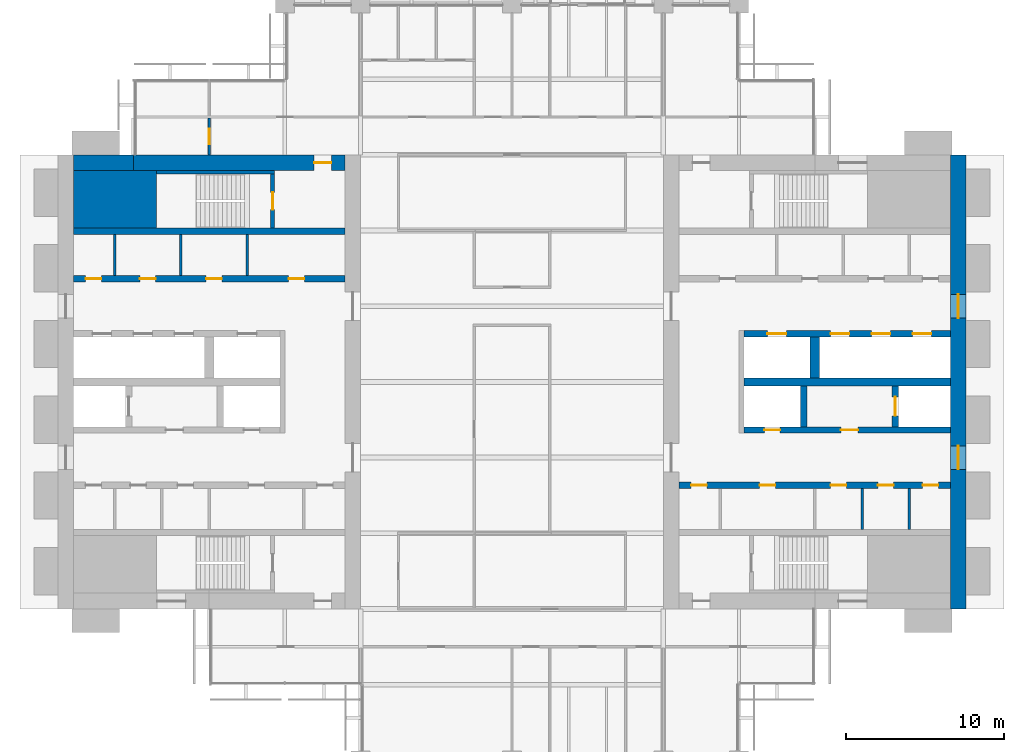
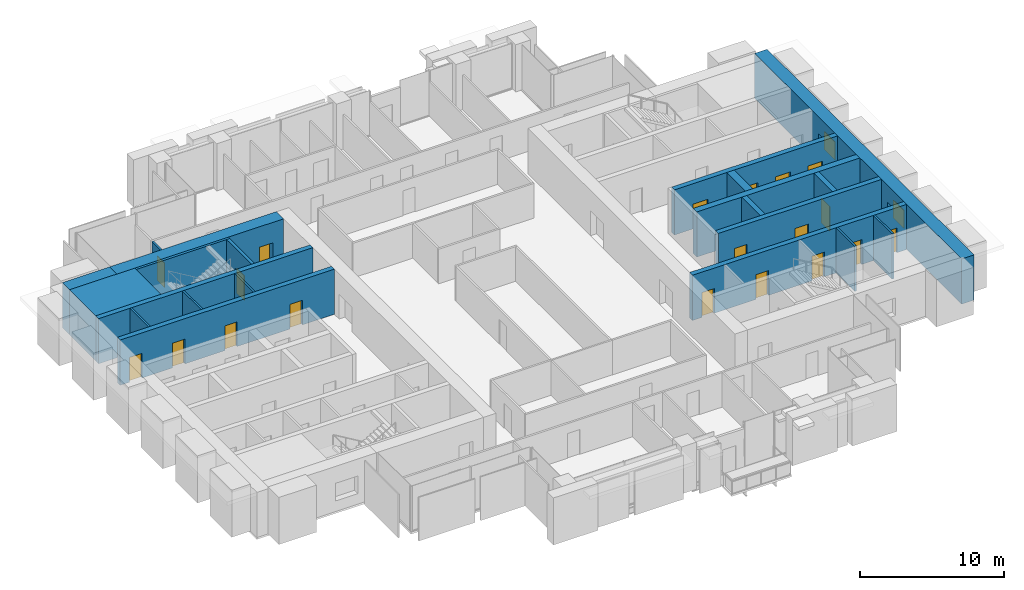
# One storey, part 11 of 15: 21 walls, 19 doors, 2 windows, 21 openings.
"""IFC4 building model written with IfcOpenShell, lengths in metres."""

from ifc_helpers import new_model, si_unit, direction, frame, frame_2d, origin, place, context, subcontext, project, spatial, rectangle, extrude, material, layer, layer_set, type_object, element, fill, save


model = new_model("IFC4")

# Units and contexts
model_context = context("Model", 3, precision=1e-05, world=origin(), true_north=direction((0.0, 1.0)))
body_context = subcontext(model_context, "Body", "Model", "MODEL_VIEW")
ifc_project = project(units=[si_unit("LENGTHUNIT", "METRE"), si_unit("AREAUNIT", "SQUARE_METRE"), si_unit("VOLUMEUNIT", "CUBIC_METRE"), si_unit("PLANEANGLEUNIT", "RADIAN"), si_unit("MASSUNIT", "GRAM", prefix="KILO")], contexts=[model_context])

# Site, building, storey
site_placement = place(None, origin())
site = spatial("IfcSite", under=ifc_project, at=site_placement, CompositionType="ELEMENT")
building_placement = place(site_placement, origin())
building = spatial("IfcBuilding", under=site, at=building_placement, Name="Baori Bourse Tower", CompositionType="ELEMENT")
storey_placement = place(building_placement, frame((0.0, 0.0, 164.10009765625)))
storey = spatial("IfcBuildingStorey", under=building, at=storey_placement, Name="L36", CompositionType="ELEMENT", Elevation=164.10009765625)

# Walls
ifc_material_1 = material(Name="Concrete f'c 60 MPa", Category="concrete")
wall_type_1 = type_object("IfcWallType", Name="Core corner block f'c 60", PredefinedType="SHEAR", material=ifc_material_1)
wall_1_placement = place(storey_placement, frame((1.0, 35.574951171875, 0.0), z_axis=(0.0, 0.0, 1.0), x_axis=(1.0, 0.0, 0.0)))
element("IfcWall", 1, at=wall_1_placement, inside=storey, type_object=wall_type_1, Name="Core wall W27", PredefinedType="SHEAR", context=body_context, shape_type="SweptSolid", body=[
    extrude(rectangle(XDim=5.25, YDim=3.64990234375, at=frame_2d((2.625, 0.0))), origin(), (0.0, 0.0, 1.0), 3.83984375),
])
ifc_material_2 = material(Name="Blockwork partition", Category="masonry")
ifc_layer_1 = layer(ifc_material_2, 0.14990234375)
ifc_layer_set_1 = layer_set([ifc_layer_1], Name="Core partition 150")
wall_type_2 = type_object("IfcWallType", Name="Core partition 150", PredefinedType="PARTITIONING", material=ifc_layer_set_1)
for number, where, z_axis, x_axis, name in (
    (2, (3.60009765625, 30.75, 0.0), (0.0, 0.0, 1.0), (0.0, 1.0, 0.0), "Partition wall W23"),
    (3, (7.800048828125, 30.75, 0.0), (0.0, 0.0, 1.0), (0.0, 1.0, 0.0), "Partition wall W24"),
    (4, (12.0, 30.75, 0.0), (0.0, 0.0, 1.0), (0.0, 1.0, 0.0), "Partition wall W25"),
    (5, (54.0, 14.64990234375, 0.0), (0.0, 0.0, 1.0), (0.0, 1.0, 0.0), "Partition wall E10"),
    (6, (51.0, 14.64990234375, 0.0), (0.0, 0.0, 1.0), (0.0, 1.0, 0.0), "Partition wall E11"),
):
    element("IfcWall", number, at=place(storey_placement, frame(where, z_axis=z_axis, x_axis=x_axis)), inside=storey, type_object=wall_type_2, Name=name, PredefinedType="PARTITIONING", context=body_context, shape_type="SweptSolid", body=[
        extrude(rectangle(XDim=2.60009765625, YDim=0.14990234375, at=frame_2d((1.300048828125, 0.0))), origin(), (0.0, 0.0, 1.0), 3.83984375),
    ])
ifc_material_3 = material(Name="Concrete f'c 60 MPa", Category="concrete")
ifc_layer_2 = layer(ifc_material_3, 1.0)
ifc_layer_set_2 = layer_set([ifc_layer_2], Name="Core wall 1000 f'c 60")
wall_type_3 = type_object("IfcWallType", Name="Core wall 1000 f'c 60", PredefinedType="SHEAR", material=ifc_layer_set_2)
wall_2_placement = place(storey_placement, frame((1.0, 37.89990234375, 0.0), z_axis=(0.0, 0.0, 1.0), x_axis=(1.0, 0.0, 0.0)))
element("IfcWall", 7, at=wall_2_placement, inside=storey, type_object=wall_type_3, Name="Core wall W30", PredefinedType="SHEAR", context=body_context, shape_type="SweptSolid", body=[
    extrude(rectangle(XDim=3.800048828125, YDim=1.0, at=frame_2d((1.89990234375, 0.0))), origin(), (0.0, 0.0, 1.0), 3.83984375),
])

# Wall, opening, door
wall_3_placement = place(storey_placement, frame((4.800048828125, 37.89990234375, 0.0), z_axis=(0.0, 0.0, 1.0), x_axis=(1.0, 0.0, 0.0)))
wall_3 = element("IfcWall", 8, at=wall_3_placement, inside=storey, type_object=wall_type_3, Name="Core wall W31", PredefinedType="SHEAR", context=body_context, shape_type="SweptSolid", body=[
    extrude(rectangle(XDim=13.39990234375, YDim=1.0, at=frame_2d((6.699951171875, 0.0))), origin(), (0.0, 0.0, 1.0), 3.83984375),
])
opening_1_placement = place(wall_3_placement, frame((11.449951171875, 0.0, 0.0)))
opening_1 = element("IfcOpeningElement", 9, at=opening_1_placement, cuts=wall_3, Name="Opening L36-D104", PredefinedType="OPENING", context=body_context, shape_type="SweptSolid", body=[
    extrude(rectangle(XDim=1.10009765625, YDim=2.10009765625, at=frame_2d((0.550048828125, 1.050048828125))), frame((0.0, 0.510009765625, 0.0), z_axis=(0.0, -1.0, 0.0), x_axis=(1.0, 0.0, 0.0)), (0.0, 0.0, 1.0), 1.02001953125),
])
ifc_material_4 = material(Name="Painted steel door", Category="steel")
door_type_1 = type_object("IfcDoorType", Name="Stair door 1100", OperationType="SINGLE_SWING_LEFT", PredefinedType="DOOR", material=ifc_material_4)
door_1_placement = place(opening_1_placement, origin())
door_1 = element("IfcDoor", 10, at=door_1_placement, inside=storey, type_object=door_type_1, Name="Stair vestibule door B W L36", OperationType="SINGLE_SWING_LEFT", OverallHeight=2.10009765625, OverallWidth=1.10009765625, PredefinedType="DOOR", context=body_context, shape_type="SweptSolid", body=[
    extrude(rectangle(XDim=1.10009765625, YDim=2.10009765625, at=frame_2d((0.550048828125, 1.050048828125))), frame((0.0, 0.02490234375, 0.0), z_axis=(0.0, -1.0, 0.0), x_axis=(1.0, 0.0, 0.0)), (0.0, 0.0, 1.0), 0.050048828125),
])
fill(opening_1, door_1)

# Wall, openings, windows
wall_4_placement = place(storey_placement, frame((57.10009765625, 38.39990234375, 0.0), z_axis=(0.0, 0.0, 1.0), x_axis=(0.0, -1.0, 0.0)))
wall_4 = element("IfcWall", 11, at=wall_4_placement, inside=storey, type_object=wall_type_3, Name="Core wall E01", PredefinedType="SHEAR", context=body_context, shape_type="SweptSolid", body=[
    extrude(rectangle(XDim=28.7998046875, YDim=1.0, at=frame_2d((14.39990234375, 0.0))), origin(), (0.0, 0.0, 1.0), 3.83984375),
])
opening_2_placement = place(wall_4_placement, frame((18.449951171875, 0.0, 0.89990234375)))
opening_2 = element("IfcOpeningElement", 12, at=opening_2_placement, cuts=wall_4, Name="Opening L36-KW201", PredefinedType="OPENING", context=body_context, shape_type="SweptSolid", body=[
    extrude(rectangle(XDim=1.5, YDim=1.5, at=frame_2d((0.75, 0.75))), frame((0.0, 0.510009765625, 0.0), z_axis=(0.0, -1.0, 0.0), x_axis=(1.0, 0.0, 0.0)), (0.0, 0.0, 1.0), 1.02001953125),
])
opening_3_placement = place(wall_4_placement, frame((8.85009765625, 0.0, 0.89990234375)))
opening_3 = element("IfcOpeningElement", 13, at=opening_3_placement, cuts=wall_4, Name="Opening L36-KW202", PredefinedType="OPENING", context=body_context, shape_type="SweptSolid", body=[
    extrude(rectangle(XDim=1.5, YDim=1.5, at=frame_2d((0.75, 0.75))), frame((0.0, 0.510009765625, 0.0), z_axis=(0.0, -1.0, 0.0), x_axis=(1.0, 0.0, 0.0)), (0.0, 0.0, 1.0), 1.02001953125),
])
ifc_material_5 = material(Name="Pale anodised aluminium", Category="aluminium")
window_type = type_object("IfcWindowType", Name="Lobby window 1500 x 1500", PartitioningType="SINGLE_PANEL", PredefinedType="WINDOW", material=ifc_material_5)
window_1_placement = place(opening_2_placement, origin())
window_1 = element("IfcWindow", 14, at=window_1_placement, inside=storey, type_object=window_type, Name="Outer wall window E L36 1", OverallHeight=1.5, OverallWidth=1.5, PartitioningType="SINGLE_PANEL", PredefinedType="WINDOW", context=body_context, shape_type="SweptSolid", body=[
    extrude(rectangle(XDim=1.5, YDim=1.5, at=frame_2d((0.75, 0.75))), frame((0.0, 0.030029296875, 0.0), z_axis=(0.0, -1.0, 0.0), x_axis=(1.0, 0.0, 0.0)), (0.0, 0.0, 1.0), 0.06005859375),
])
fill(opening_2, window_1)
window_2_placement = place(opening_3_placement, origin())
window_2 = element("IfcWindow", 15, at=window_2_placement, inside=storey, type_object=window_type, Name="Outer wall window E L36 2", OverallHeight=1.5, OverallWidth=1.5, PartitioningType="SINGLE_PANEL", PredefinedType="WINDOW", context=body_context, shape_type="SweptSolid", body=[
    extrude(rectangle(XDim=1.5, YDim=1.5, at=frame_2d((0.75, 0.75))), frame((0.0, 0.030029296875, 0.0), z_axis=(0.0, -1.0, 0.0), x_axis=(1.0, 0.0, 0.0)), (0.0, 0.0, 1.0), 0.06005859375),
])
fill(opening_3, window_2)

# Wall, opening, door
ifc_material_6 = material(Name="Gypsum board partition")
ifc_layer_3 = layer(ifc_material_6, 0.14990234375)
ifc_layer_set_3 = layer_set([ifc_layer_3], Name="Corridor partition 150")
wall_type_4 = type_object("IfcWallType", Name="Corridor partition 150", PredefinedType="PARTITIONING", material=ifc_layer_set_3)
wall_5_placement = place(storey_placement, frame((9.60009765625, 38.39990234375, 0.0), z_axis=(0.0, 0.0, 1.0), x_axis=(0.0, 1.0, 0.0)))
wall_5 = element("IfcWall", 16, at=wall_5_placement, inside=storey, type_object=wall_type_4, Name="Partition", PredefinedType="PARTITIONING", context=body_context, shape_type="SweptSolid", body=[
    extrude(rectangle(XDim=2.3251953125, YDim=0.14990234375, at=frame_2d((1.16259765625, 0.0))), origin(), (0.0, 0.0, 1.0), 2.935546875),
])
opening_4_placement = place(wall_5_placement, frame((0.66259765625, 0.0, 0.0)))
opening_4 = element("IfcOpeningElement", 17, at=opening_4_placement, cuts=wall_5, Name="Opening L36-D20", PredefinedType="OPENING", context=body_context, shape_type="SweptSolid", body=[
    extrude(rectangle(XDim=1.0, YDim=2.10009765625, at=frame_2d((0.5, 1.050048828125))), frame((0.0, 0.0849609375, 0.0), z_axis=(0.0, -1.0, 0.0), x_axis=(1.0, 0.0, 0.0)), (0.0, 0.0, 1.0), 0.169921875),
])
ifc_material_7 = material(Name="Timber door leaf", Category="wood")
door_type_2 = type_object("IfcDoorType", Name="Door 1000 x 2100", OperationType="SINGLE_SWING_LEFT", PredefinedType="DOOR", material=ifc_material_7)
door_2_placement = place(opening_4_placement, origin())
door_2 = element("IfcDoor", 18, at=door_2_placement, inside=storey, type_object=door_type_2, Name="Door", OperationType="SINGLE_SWING_RIGHT", OverallHeight=2.10009765625, OverallWidth=1.0, PredefinedType="DOOR", context=body_context, shape_type="SweptSolid", body=[
    extrude(rectangle(XDim=1.0, YDim=2.10009765625, at=frame_2d((0.5, 1.050048828125))), frame((0.0, 0.02490234375, 0.0), z_axis=(0.0, -1.0, 0.0), x_axis=(1.0, 0.0, 0.0)), (0.0, 0.0, 1.0), 0.050048828125),
])
fill(opening_4, door_2)

# Wall
ifc_material_8 = material(Name="Concrete f'c 60 MPa", Category="concrete")
ifc_layer_4 = layer(ifc_material_8, 0.199951171875)
ifc_layer_set_4 = layer_set([ifc_layer_4], Name="Shaft wall 200 f'c 60")
wall_type_5 = type_object("IfcWallType", Name="Shaft wall 200 f'c 60", PredefinedType="SHEAR", material=ifc_layer_set_4)
wall_6_placement = place(storey_placement, frame((6.25, 37.300048828125, 0.0), z_axis=(0.0, 0.0, 1.0), x_axis=(1.0, 0.0, 0.0)))
element("IfcWall", 19, at=wall_6_placement, inside=storey, type_object=wall_type_5, Name="Core wall W29", PredefinedType="SHEAR", context=body_context, shape_type="SweptSolid", body=[
    extrude(rectangle(XDim=7.5, YDim=0.199951171875, at=frame_2d((3.75, 0.0))), origin(), (0.0, 0.0, 1.0), 3.83984375),
])

# Wall, opening, door
ifc_material_9 = material(Name="Concrete f'c 60 MPa", Category="concrete")
ifc_layer_5 = layer(ifc_material_9, 0.25)
ifc_layer_set_5 = layer_set([ifc_layer_5], Name="Shaft wall 250 f'c 60")
wall_type_6 = type_object("IfcWallType", Name="Shaft wall 250 f'c 60", PredefinedType="SHEAR", material=ifc_layer_set_5)
wall_7_placement = place(storey_placement, frame((13.625, 33.75, 0.0), z_axis=(0.0, 0.0, 1.0), x_axis=(0.0, 1.0, 0.0)))
wall_7 = element("IfcWall", 20, at=wall_7_placement, inside=storey, type_object=wall_type_6, Name="Core wall W28", PredefinedType="SHEAR", context=body_context, shape_type="SweptSolid", body=[
    extrude(rectangle(XDim=3.449951171875, YDim=0.25, at=frame_2d((1.72509765625, 0.0))), origin(), (0.0, 0.0, 1.0), 3.83984375),
])
opening_5_placement = place(wall_7_placement, frame((1.175048828125, 0.0, 0.0)))
opening_5 = element("IfcOpeningElement", 21, at=opening_5_placement, cuts=wall_7, Name="Opening L36-D103", PredefinedType="OPENING", context=body_context, shape_type="SweptSolid", body=[
    extrude(rectangle(XDim=1.10009765625, YDim=2.10009765625, at=frame_2d((0.550048828125, 1.050048828125))), frame((0.0, 0.135009765625, 0.0), z_axis=(0.0, -1.0, 0.0), x_axis=(1.0, 0.0, 0.0)), (0.0, 0.0, 1.0), 0.27001953125),
])
door_3_placement = place(opening_5_placement, origin())
door_3 = element("IfcDoor", 22, at=door_3_placement, inside=storey, type_object=door_type_1, Name="Stair door B W L36", OperationType="SINGLE_SWING_LEFT", OverallHeight=2.10009765625, OverallWidth=1.10009765625, PredefinedType="DOOR", context=body_context, shape_type="SweptSolid", body=[
    extrude(rectangle(XDim=1.10009765625, YDim=2.10009765625, at=frame_2d((0.550048828125, 1.050048828125))), frame((0.0, 0.02490234375, 0.0), z_axis=(0.0, -1.0, 0.0), x_axis=(1.0, 0.0, 0.0)), (0.0, 0.0, 1.0), 0.050048828125),
])
fill(opening_5, door_3)

# Wall, openings, doors
ifc_material_10 = material(Name="Concrete f'c 60 MPa", Category="concrete")
ifc_layer_6 = layer(ifc_material_10, 0.39990234375)
ifc_layer_set_6 = layer_set([ifc_layer_6], Name="Shaft wall 400 f'c 60")
wall_type_7 = type_object("IfcWallType", Name="Shaft wall 400 f'c 60", PredefinedType="SHEAR", material=ifc_layer_set_6)
wall_8_placement = place(storey_placement, frame((1.0, 30.550048828125, 0.0), z_axis=(0.0, 0.0, 1.0), x_axis=(1.0, 0.0, 0.0)))
wall_8 = element("IfcWall", 23, at=wall_8_placement, inside=storey, type_object=wall_type_7, Name="Core wall W22", PredefinedType="SHEAR", context=body_context, shape_type="SweptSolid", body=[
    extrude(rectangle(XDim=17.199951171875, YDim=0.39990234375, at=frame_2d((8.60009765625, 0.0))), origin(), (0.0, 0.0, 1.0), 3.83984375),
])
opening_6_placement = place(wall_8_placement, frame((0.762451171875, 0.0, 0.0)))
opening_6 = element("IfcOpeningElement", 24, at=opening_6_placement, cuts=wall_8, Name="Opening L36-D109", PredefinedType="OPENING", context=body_context, shape_type="SweptSolid", body=[
    extrude(rectangle(XDim=1.0, YDim=2.10009765625, at=frame_2d((0.5, 1.050048828125))), frame((0.0, 0.2099609375, 0.0), z_axis=(0.0, -1.0, 0.0), x_axis=(1.0, 0.0, 0.0)), (0.0, 0.0, 1.0), 0.419921875),
])
opening_7_placement = place(wall_8_placement, frame((4.199951171875, 0.0, 0.0)))
opening_7 = element("IfcOpeningElement", 25, at=opening_7_placement, cuts=wall_8, Name="Opening L36-D110", PredefinedType="OPENING", context=body_context, shape_type="SweptSolid", body=[
    extrude(rectangle(XDim=1.0, YDim=2.10009765625, at=frame_2d((0.5, 1.050048828125))), frame((0.0, 0.2099609375, 0.0), z_axis=(0.0, -1.0, 0.0), x_axis=(1.0, 0.0, 0.0)), (0.0, 0.0, 1.0), 0.419921875),
])
opening_8_placement = place(wall_8_placement, frame((8.39990234375, 0.0, 0.0)))
opening_8 = element("IfcOpeningElement", 26, at=opening_8_placement, cuts=wall_8, Name="Opening L36-D111", PredefinedType="OPENING", context=body_context, shape_type="SweptSolid", body=[
    extrude(rectangle(XDim=1.0, YDim=2.10009765625, at=frame_2d((0.5, 1.050048828125))), frame((0.0, 0.2099609375, 0.0), z_axis=(0.0, -1.0, 0.0), x_axis=(1.0, 0.0, 0.0)), (0.0, 0.0, 1.0), 0.419921875),
])
opening_9_placement = place(wall_8_placement, frame((13.637451171875, 0.0, 0.0)))
opening_9 = element("IfcOpeningElement", 27, at=opening_9_placement, cuts=wall_8, Name="Opening L36-D112", PredefinedType="OPENING", context=body_context, shape_type="SweptSolid", body=[
    extrude(rectangle(XDim=1.0, YDim=2.10009765625, at=frame_2d((0.5, 1.050048828125))), frame((0.0, 0.2099609375, 0.0), z_axis=(0.0, -1.0, 0.0), x_axis=(1.0, 0.0, 0.0)), (0.0, 0.0, 1.0), 0.419921875),
])
ifc_material_11 = material(Name="Painted steel door", Category="steel")
door_type_3 = type_object("IfcDoorType", Name="Core door 1000", OperationType="SINGLE_SWING_LEFT", PredefinedType="DOOR", material=ifc_material_11)
door_4_placement = place(opening_7_placement, origin())
door_4 = element("IfcDoor", 28, at=door_4_placement, inside=storey, type_object=door_type_3, Name="Women'S Wc door W L36", OperationType="SINGLE_SWING_LEFT", OverallHeight=2.10009765625, OverallWidth=1.0, PredefinedType="DOOR", context=body_context, shape_type="SweptSolid", body=[
    extrude(rectangle(XDim=1.0, YDim=2.10009765625, at=frame_2d((0.5, 1.050048828125))), frame((0.0, 0.02490234375, 0.0), z_axis=(0.0, -1.0, 0.0), x_axis=(1.0, 0.0, 0.0)), (0.0, 0.0, 1.0), 0.050048828125),
])
fill(opening_7, door_4)
door_5_placement = place(opening_8_placement, origin())
door_5 = element("IfcDoor", 29, at=door_5_placement, inside=storey, type_object=door_type_3, Name="Accessible Wc door W L36", OperationType="SINGLE_SWING_LEFT", OverallHeight=2.10009765625, OverallWidth=1.0, PredefinedType="DOOR", context=body_context, shape_type="SweptSolid", body=[
    extrude(rectangle(XDim=1.0, YDim=2.10009765625, at=frame_2d((0.5, 1.050048828125))), frame((0.0, 0.02490234375, 0.0), z_axis=(0.0, -1.0, 0.0), x_axis=(1.0, 0.0, 0.0)), (0.0, 0.0, 1.0), 0.050048828125),
])
fill(opening_8, door_5)
door_6_placement = place(opening_9_placement, origin())
door_6 = element("IfcDoor", 30, at=door_6_placement, inside=storey, type_object=door_type_3, Name="Men'S Wc door W L36", OperationType="SINGLE_SWING_LEFT", OverallHeight=2.10009765625, OverallWidth=1.0, PredefinedType="DOOR", context=body_context, shape_type="SweptSolid", body=[
    extrude(rectangle(XDim=1.0, YDim=2.10009765625, at=frame_2d((0.5, 1.050048828125))), frame((0.0, 0.02490234375, 0.0), z_axis=(0.0, -1.0, 0.0), x_axis=(1.0, 0.0, 0.0)), (0.0, 0.0, 1.0), 0.050048828125),
])
fill(opening_9, door_6)
ifc_material_12 = material(Name="Painted steel door", Category="steel")
door_type_4 = type_object("IfcDoorType", Name="Plant room door 1000", OperationType="SINGLE_SWING_LEFT", PredefinedType="DOOR", material=ifc_material_12)
door_7_placement = place(opening_6_placement, origin())
door_7 = element("IfcDoor", 31, at=door_7_placement, inside=storey, type_object=door_type_4, Name="Communications Room door W L36", OperationType="SINGLE_SWING_LEFT", OverallHeight=2.10009765625, OverallWidth=1.0, PredefinedType="DOOR", context=body_context, shape_type="SweptSolid", body=[
    extrude(rectangle(XDim=1.0, YDim=2.10009765625, at=frame_2d((0.5, 1.050048828125))), frame((0.0, 0.02490234375, 0.0), z_axis=(0.0, -1.0, 0.0), x_axis=(1.0, 0.0, 0.0)), (0.0, 0.0, 1.0), 0.050048828125),
])
fill(opening_6, door_7)

# Wall
wall_9_placement = place(storey_placement, frame((1.0, 33.550048828125, 0.0), z_axis=(0.0, 0.0, 1.0), x_axis=(1.0, 0.0, 0.0)))
element("IfcWall", 32, at=wall_9_placement, inside=storey, type_object=wall_type_7, Name="Core wall W26", PredefinedType="SHEAR", context=body_context, shape_type="SweptSolid", body=[
    extrude(rectangle(XDim=17.199951171875, YDim=0.39990234375, at=frame_2d((8.60009765625, 0.0))), origin(), (0.0, 0.0, 1.0), 3.83984375),
])

# Wall, openings, doors
wall_10_placement = place(storey_placement, frame((39.39990234375, 17.449951171875, 0.0), z_axis=(0.0, 0.0, 1.0), x_axis=(1.0, 0.0, 0.0)))
wall_10 = element("IfcWall", 33, at=wall_10_placement, inside=storey, type_object=wall_type_7, Name="Core wall E14", PredefinedType="SHEAR", context=body_context, shape_type="SweptSolid", body=[
    extrude(rectangle(XDim=17.2001953125, YDim=0.39990234375, at=frame_2d((8.60009765625, 0.0))), origin(), (0.0, 0.0, 1.0), 3.83984375),
])
opening_10_placement = place(wall_10_placement, frame((15.4375, 0.0, 0.0)))
opening_10 = element("IfcOpeningElement", 34, at=opening_10_placement, cuts=wall_10, Name="Opening L36-D213", PredefinedType="OPENING", context=body_context, shape_type="SweptSolid", body=[
    extrude(rectangle(XDim=1.0, YDim=2.10009765625, at=frame_2d((0.5, 1.050048828125))), frame((0.0, 0.2099609375, 0.0), z_axis=(0.0, -1.0, 0.0), x_axis=(1.0, 0.0, 0.0)), (0.0, 0.0, 1.0), 0.419921875),
])
opening_11_placement = place(wall_10_placement, frame((12.60009765625, 0.0, 0.0)))
opening_11 = element("IfcOpeningElement", 35, at=opening_11_placement, cuts=wall_10, Name="Opening L36-D214", PredefinedType="OPENING", context=body_context, shape_type="SweptSolid", body=[
    extrude(rectangle(XDim=1.0, YDim=2.10009765625, at=frame_2d((0.5, 1.050048828125))), frame((0.0, 0.2099609375, 0.0), z_axis=(0.0, -1.0, 0.0), x_axis=(1.0, 0.0, 0.0)), (0.0, 0.0, 1.0), 0.419921875),
])
opening_12_placement = place(wall_10_placement, frame((9.60009765625, 0.0, 0.0)))
opening_12 = element("IfcOpeningElement", 36, at=opening_12_placement, cuts=wall_10, Name="Opening L36-D215", PredefinedType="OPENING", context=body_context, shape_type="SweptSolid", body=[
    extrude(rectangle(XDim=1.0, YDim=2.10009765625, at=frame_2d((0.5, 1.050048828125))), frame((0.0, 0.2099609375, 0.0), z_axis=(0.0, -1.0, 0.0), x_axis=(1.0, 0.0, 0.0)), (0.0, 0.0, 1.0), 0.419921875),
])
opening_13_placement = place(wall_10_placement, frame((5.10009765625, 0.0, 0.0)))
opening_13 = element("IfcOpeningElement", 37, at=opening_13_placement, cuts=wall_10, Name="Opening L36-D216", PredefinedType="OPENING", context=body_context, shape_type="SweptSolid", body=[
    extrude(rectangle(XDim=1.0, YDim=2.10009765625, at=frame_2d((0.5, 1.050048828125))), frame((0.0, 0.2099609375, 0.0), z_axis=(0.0, -1.0, 0.0), x_axis=(1.0, 0.0, 0.0)), (0.0, 0.0, 1.0), 0.419921875),
])
opening_14_placement = place(wall_10_placement, frame((0.762451171875, 0.0, 0.0)))
opening_14 = element("IfcOpeningElement", 38, at=opening_14_placement, cuts=wall_10, Name="Opening L36-D217", PredefinedType="OPENING", context=body_context, shape_type="SweptSolid", body=[
    extrude(rectangle(XDim=1.0, YDim=2.10009765625, at=frame_2d((0.5, 1.050048828125))), frame((0.0, 0.2099609375, 0.0), z_axis=(0.0, -1.0, 0.0), x_axis=(1.0, 0.0, 0.0)), (0.0, 0.0, 1.0), 0.419921875),
])
door_8_placement = place(opening_11_placement, origin())
door_8 = element("IfcDoor", 39, at=door_8_placement, inside=storey, type_object=door_type_3, Name="Women'S Wc door E L36", OperationType="SINGLE_SWING_LEFT", OverallHeight=2.10009765625, OverallWidth=1.0, PredefinedType="DOOR", context=body_context, shape_type="SweptSolid", body=[
    extrude(rectangle(XDim=1.0, YDim=2.10009765625, at=frame_2d((0.5, 1.050048828125))), frame((0.0, 0.02490234375, 0.0), z_axis=(0.0, -1.0, 0.0), x_axis=(1.0, 0.0, 0.0)), (0.0, 0.0, 1.0), 0.050048828125),
])
fill(opening_11, door_8)
door_9_placement = place(opening_12_placement, origin())
door_9 = element("IfcDoor", 40, at=door_9_placement, inside=storey, type_object=door_type_3, Name="Accessible Wc door E L36", OperationType="SINGLE_SWING_LEFT", OverallHeight=2.10009765625, OverallWidth=1.0, PredefinedType="DOOR", context=body_context, shape_type="SweptSolid", body=[
    extrude(rectangle(XDim=1.0, YDim=2.10009765625, at=frame_2d((0.5, 1.050048828125))), frame((0.0, 0.02490234375, 0.0), z_axis=(0.0, -1.0, 0.0), x_axis=(1.0, 0.0, 0.0)), (0.0, 0.0, 1.0), 0.050048828125),
])
fill(opening_12, door_9)
door_10_placement = place(opening_13_placement, origin())
door_10 = element("IfcDoor", 41, at=door_10_placement, inside=storey, type_object=door_type_3, Name="Men'S Wc door E L36", OperationType="SINGLE_SWING_LEFT", OverallHeight=2.10009765625, OverallWidth=1.0, PredefinedType="DOOR", context=body_context, shape_type="SweptSolid", body=[
    extrude(rectangle(XDim=1.0, YDim=2.10009765625, at=frame_2d((0.5, 1.050048828125))), frame((0.0, 0.02490234375, 0.0), z_axis=(0.0, -1.0, 0.0), x_axis=(1.0, 0.0, 0.0)), (0.0, 0.0, 1.0), 0.050048828125),
])
fill(opening_13, door_10)
door_11_placement = place(opening_14_placement, origin())
door_11 = element("IfcDoor", 42, at=door_11_placement, inside=storey, type_object=door_type_3, Name="Store Room door E L36", OperationType="SINGLE_SWING_LEFT", OverallHeight=2.10009765625, OverallWidth=1.0, PredefinedType="DOOR", context=body_context, shape_type="SweptSolid", body=[
    extrude(rectangle(XDim=1.0, YDim=2.10009765625, at=frame_2d((0.5, 1.050048828125))), frame((0.0, 0.02490234375, 0.0), z_axis=(0.0, -1.0, 0.0), x_axis=(1.0, 0.0, 0.0)), (0.0, 0.0, 1.0), 0.050048828125),
])
fill(opening_14, door_11)
door_12_placement = place(opening_10_placement, origin())
door_12 = element("IfcDoor", 43, at=door_12_placement, inside=storey, type_object=door_type_4, Name="Communications Room door E L36", OperationType="SINGLE_SWING_LEFT", OverallHeight=2.10009765625, OverallWidth=1.0, PredefinedType="DOOR", context=body_context, shape_type="SweptSolid", body=[
    extrude(rectangle(XDim=1.0, YDim=2.10009765625, at=frame_2d((0.5, 1.050048828125))), frame((0.0, 0.02490234375, 0.0), z_axis=(0.0, -1.0, 0.0), x_axis=(1.0, 0.0, 0.0)), (0.0, 0.0, 1.0), 0.050048828125),
])
fill(opening_10, door_12)

wall_11_placement = place(storey_placement, frame((43.5, 20.949951171875, 0.0), z_axis=(0.0, 0.0, 1.0), x_axis=(1.0, 0.0, 0.0)))
wall_11 = element("IfcWall", 44, at=wall_11_placement, inside=storey, type_object=wall_type_7, Name="Core wall E15", PredefinedType="SHEAR", context=body_context, shape_type="SweptSolid", body=[
    extrude(rectangle(XDim=13.10009765625, YDim=0.39990234375, at=frame_2d((6.550048828125, 0.0))), origin(), (0.0, 0.0, 1.0), 3.83984375),
])
opening_15_placement = place(wall_11_placement, frame((6.14990234375, 0.0, 0.0)))
opening_15 = element("IfcOpeningElement", 45, at=opening_15_placement, cuts=wall_11, Name="Opening L36-D205", PredefinedType="OPENING", context=body_context, shape_type="SweptSolid", body=[
    extrude(rectangle(XDim=1.10009765625, YDim=2.10009765625, at=frame_2d((0.550048828125, 1.050048828125))), frame((0.0, 0.2099609375, 0.0), z_axis=(0.0, -1.0, 0.0), x_axis=(1.0, 0.0, 0.0)), (0.0, 0.0, 1.0), 0.419921875),
])
opening_16_placement = place(wall_11_placement, frame((1.300048828125, 0.0, 0.0)))
opening_16 = element("IfcOpeningElement", 46, at=opening_16_placement, cuts=wall_11, Name="Opening L36-D206", PredefinedType="OPENING", context=body_context, shape_type="SweptSolid", body=[
    extrude(rectangle(XDim=1.0, YDim=2.10009765625, at=frame_2d((0.5, 1.050048828125))), frame((0.0, 0.2099609375, 0.0), z_axis=(0.0, -1.0, 0.0), x_axis=(1.0, 0.0, 0.0)), (0.0, 0.0, 1.0), 0.419921875),
])
ifc_material_13 = material(Name="Painted steel door", Category="steel")
door_type_5 = type_object("IfcDoorType", Name="Lobby door 1100", OperationType="SINGLE_SWING_LEFT", PredefinedType="DOOR", material=ifc_material_13)
door_13_placement = place(opening_15_placement, origin())
door_13 = element("IfcDoor", 47, at=door_13_placement, inside=storey, type_object=door_type_5, Name="Firefighting lobby door E L36", OperationType="SINGLE_SWING_LEFT", OverallHeight=2.10009765625, OverallWidth=1.10009765625, PredefinedType="DOOR", context=body_context, shape_type="SweptSolid", body=[
    extrude(rectangle(XDim=1.10009765625, YDim=2.10009765625, at=frame_2d((0.550048828125, 1.050048828125))), frame((0.0, 0.02490234375, 0.0), z_axis=(0.0, -1.0, 0.0), x_axis=(1.0, 0.0, 0.0)), (0.0, 0.0, 1.0), 0.050048828125),
])
fill(opening_15, door_13)
ifc_material_14 = material(Name="Painted steel door", Category="steel")
door_type_6 = type_object("IfcDoorType", Name="Shaft door 1000", OperationType="SINGLE_SWING_LEFT", PredefinedType="DOOR", material=ifc_material_14)
door_14_placement = place(opening_16_placement, origin())
door_14 = element("IfcDoor", 48, at=door_14_placement, inside=storey, type_object=door_type_6, Name="Riser room door E L36", OperationType="SINGLE_SWING_LEFT", OverallHeight=2.10009765625, OverallWidth=1.0, PredefinedType="DOOR", context=body_context, shape_type="SweptSolid", body=[
    extrude(rectangle(XDim=1.0, YDim=2.10009765625, at=frame_2d((0.5, 1.050048828125))), frame((0.0, 0.02490234375, 0.0), z_axis=(0.0, -1.0, 0.0), x_axis=(1.0, 0.0, 0.0)), (0.0, 0.0, 1.0), 0.050048828125),
])
fill(opening_16, door_14)

# Wall, opening, door
wall_12_placement = place(storey_placement, frame((53.10009765625, 21.14990234375, 0.0), z_axis=(0.0, 0.0, 1.0), x_axis=(0.0, 1.0, 0.0)))
wall_12 = element("IfcWall", 49, at=wall_12_placement, inside=storey, type_object=wall_type_7, Name="Core wall E17", PredefinedType="SHEAR", context=body_context, shape_type="SweptSolid", body=[
    extrude(rectangle(XDim=2.60009765625, YDim=0.39990234375, at=frame_2d((1.300048828125, 0.0))), origin(), (0.0, 0.0, 1.0), 3.83984375),
])
opening_17_placement = place(wall_12_placement, frame((0.699951171875, 0.0, 0.0)))
opening_17 = element("IfcOpeningElement", 50, at=opening_17_placement, cuts=wall_12, Name="Opening L36-D222", PredefinedType="OPENING", context=body_context, shape_type="SweptSolid", body=[
    extrude(rectangle(XDim=1.199951171875, YDim=2.10009765625, at=frame_2d((0.60009765625, 1.050048828125))), frame((0.0, 0.2099609375, 0.0), z_axis=(0.0, -1.0, 0.0), x_axis=(1.0, 0.0, 0.0)), (0.0, 0.0, 1.0), 0.419921875),
])
ifc_material_15 = material(Name="Stainless steel door", Category="steel")
door_type_7 = type_object("IfcDoorType", Name="Lift landing door", OperationType="DOUBLE_DOOR_SLIDING", PredefinedType="DOOR", material=ifc_material_15)
door_15_placement = place(opening_17_placement, origin())
door_15 = element("IfcDoor", 51, at=door_15_placement, inside=storey, type_object=door_type_7, Name="Lift landing door FF2 E L36", OperationType="DOUBLE_DOOR_SLIDING", OverallHeight=2.10009765625, OverallWidth=1.199951171875, PredefinedType="DOOR", context=body_context, shape_type="SweptSolid", body=[
    extrude(rectangle(XDim=1.199951171875, YDim=2.10009765625, at=frame_2d((0.60009765625, 1.050048828125))), frame((0.0, 0.02490234375, 0.0), z_axis=(0.0, -1.0, 0.0), x_axis=(1.0, 0.0, 0.0)), (0.0, 0.0, 1.0), 0.050048828125),
])
fill(opening_17, door_15)

# Wall
wall_13_placement = place(storey_placement, frame((47.300048828125, 21.14990234375, 0.0), z_axis=(0.0, 0.0, 1.0), x_axis=(0.0, 1.0, 0.0)))
element("IfcWall", 52, at=wall_13_placement, inside=storey, type_object=wall_type_7, Name="Core wall E18", PredefinedType="SHEAR", context=body_context, shape_type="SweptSolid", body=[
    extrude(rectangle(XDim=2.60009765625, YDim=0.39990234375, at=frame_2d((1.300048828125, 0.0))), origin(), (0.0, 0.0, 1.0), 3.83984375),
])

# Wall, openings, doors
wall_14_placement = place(storey_placement, frame((43.5, 27.050048828125, 0.0), z_axis=(0.0, 0.0, 1.0), x_axis=(1.0, 0.0, 0.0)))
wall_14 = element("IfcWall", 53, at=wall_14_placement, inside=storey, type_object=wall_type_7, Name="Core wall E21", PredefinedType="SHEAR", context=body_context, shape_type="SweptSolid", body=[
    extrude(rectangle(XDim=13.10009765625, YDim=0.39990234375, at=frame_2d((6.550048828125, 0.0))), origin(), (0.0, 0.0, 1.0), 3.83984375),
])
opening_18_placement = place(wall_14_placement, frame((10.699951171875, 0.0, 0.0)))
opening_18 = element("IfcOpeningElement", 54, at=opening_18_placement, cuts=wall_14, Name="Opening L36-D218", PredefinedType="OPENING", context=body_context, shape_type="SweptSolid", body=[
    extrude(rectangle(XDim=1.199951171875, YDim=2.10009765625, at=frame_2d((0.60009765625, 1.050048828125))), frame((0.0, 0.2099609375, 0.0), z_axis=(0.0, -1.0, 0.0), x_axis=(1.0, 0.0, 0.0)), (0.0, 0.0, 1.0), 0.419921875),
])
opening_19_placement = place(wall_14_placement, frame((8.10009765625, 0.0, 0.0)))
opening_19 = element("IfcOpeningElement", 55, at=opening_19_placement, cuts=wall_14, Name="Opening L36-D219", PredefinedType="OPENING", context=body_context, shape_type="SweptSolid", body=[
    extrude(rectangle(XDim=1.199951171875, YDim=2.10009765625, at=frame_2d((0.60009765625, 1.050048828125))), frame((0.0, 0.2099609375, 0.0), z_axis=(0.0, -1.0, 0.0), x_axis=(1.0, 0.0, 0.0)), (0.0, 0.0, 1.0), 0.419921875),
])
opening_20_placement = place(wall_14_placement, frame((5.5, 0.0, 0.0)))
opening_20 = element("IfcOpeningElement", 56, at=opening_20_placement, cuts=wall_14, Name="Opening L36-D220", PredefinedType="OPENING", context=body_context, shape_type="SweptSolid", body=[
    extrude(rectangle(XDim=1.199951171875, YDim=2.10009765625, at=frame_2d((0.60009765625, 1.050048828125))), frame((0.0, 0.2099609375, 0.0), z_axis=(0.0, -1.0, 0.0), x_axis=(1.0, 0.0, 0.0)), (0.0, 0.0, 1.0), 0.419921875),
])
opening_21_placement = place(wall_14_placement, frame((1.5, 0.0, 0.0)))
opening_21 = element("IfcOpeningElement", 57, at=opening_21_placement, cuts=wall_14, Name="Opening L36-D221", PredefinedType="OPENING", context=body_context, shape_type="SweptSolid", body=[
    extrude(rectangle(XDim=1.199951171875, YDim=2.10009765625, at=frame_2d((0.60009765625, 1.050048828125))), frame((0.0, 0.2099609375, 0.0), z_axis=(0.0, -1.0, 0.0), x_axis=(1.0, 0.0, 0.0)), (0.0, 0.0, 1.0), 0.419921875),
])
door_16_placement = place(opening_18_placement, origin())
door_16 = element("IfcDoor", 58, at=door_16_placement, inside=storey, type_object=door_type_7, Name="Lift landing door SH1 E L36", OperationType="DOUBLE_DOOR_SLIDING", OverallHeight=2.10009765625, OverallWidth=1.199951171875, PredefinedType="DOOR", context=body_context, shape_type="SweptSolid", body=[
    extrude(rectangle(XDim=1.199951171875, YDim=2.10009765625, at=frame_2d((0.60009765625, 1.050048828125))), frame((0.0, 0.02490234375, 0.0), z_axis=(0.0, -1.0, 0.0), x_axis=(1.0, 0.0, 0.0)), (0.0, 0.0, 1.0), 0.050048828125),
])
fill(opening_18, door_16)
door_17_placement = place(opening_19_placement, origin())
door_17 = element("IfcDoor", 59, at=door_17_placement, inside=storey, type_object=door_type_7, Name="Lift landing door SH2 E L36", OperationType="DOUBLE_DOOR_SLIDING", OverallHeight=2.10009765625, OverallWidth=1.199951171875, PredefinedType="DOOR", context=body_context, shape_type="SweptSolid", body=[
    extrude(rectangle(XDim=1.199951171875, YDim=2.10009765625, at=frame_2d((0.60009765625, 1.050048828125))), frame((0.0, 0.02490234375, 0.0), z_axis=(0.0, -1.0, 0.0), x_axis=(1.0, 0.0, 0.0)), (0.0, 0.0, 1.0), 0.050048828125),
])
fill(opening_19, door_17)
door_18_placement = place(opening_20_placement, origin())
door_18 = element("IfcDoor", 60, at=door_18_placement, inside=storey, type_object=door_type_7, Name="Lift landing door SH3 E L36", OperationType="DOUBLE_DOOR_SLIDING", OverallHeight=2.10009765625, OverallWidth=1.199951171875, PredefinedType="DOOR", context=body_context, shape_type="SweptSolid", body=[
    extrude(rectangle(XDim=1.199951171875, YDim=2.10009765625, at=frame_2d((0.60009765625, 1.050048828125))), frame((0.0, 0.02490234375, 0.0), z_axis=(0.0, -1.0, 0.0), x_axis=(1.0, 0.0, 0.0)), (0.0, 0.0, 1.0), 0.050048828125),
])
fill(opening_20, door_18)
door_19_placement = place(opening_21_placement, origin())
door_19 = element("IfcDoor", 61, at=door_19_placement, inside=storey, type_object=door_type_7, Name="Lift landing door SV1 E L36", OperationType="DOUBLE_DOOR_SLIDING", OverallHeight=2.10009765625, OverallWidth=1.199951171875, PredefinedType="DOOR", context=body_context, shape_type="SweptSolid", body=[
    extrude(rectangle(XDim=1.199951171875, YDim=2.10009765625, at=frame_2d((0.60009765625, 1.050048828125))), frame((0.0, 0.02490234375, 0.0), z_axis=(0.0, -1.0, 0.0), x_axis=(1.0, 0.0, 0.0)), (0.0, 0.0, 1.0), 0.050048828125),
])
fill(opening_21, door_19)

# Walls
ifc_material_16 = material(Name="Concrete f'c 60 MPa", Category="concrete")
ifc_layer_7 = layer(ifc_material_16, 0.5)
ifc_layer_set_7 = layer_set([ifc_layer_7], Name="Shaft wall 500 f'c 60")
wall_type_8 = type_object("IfcWallType", Name="Shaft wall 500 f'c 60", PredefinedType="SHEAR", material=ifc_layer_set_7)
wall_15_placement = place(storey_placement, frame((43.5, 24.0, 0.0), z_axis=(0.0, 0.0, 1.0), x_axis=(1.0, 0.0, 0.0)))
element("IfcWall", 62, at=wall_15_placement, inside=storey, type_object=wall_type_8, Name="Core wall E19", PredefinedType="SHEAR", context=body_context, shape_type="SweptSolid", body=[
    extrude(rectangle(XDim=13.10009765625, YDim=0.5, at=frame_2d((6.550048828125, 0.0))), origin(), (0.0, 0.0, 1.0), 3.83984375),
])
ifc_material_17 = material(Name="Concrete f'c 60 MPa", Category="concrete")
ifc_layer_8 = layer(ifc_material_17, 0.60009765625)
ifc_layer_set_8 = layer_set([ifc_layer_8], Name="Shaft wall 600 f'c 60")
wall_type_9 = type_object("IfcWallType", Name="Shaft wall 600 f'c 60", PredefinedType="SHEAR", material=ifc_layer_set_8)
wall_16_placement = place(storey_placement, frame((48.0, 24.25, 0.0), z_axis=(0.0, 0.0, 1.0), x_axis=(0.0, 1.0, 0.0)))
element("IfcWall", 63, at=wall_16_placement, inside=storey, type_object=wall_type_9, Name="Core wall E20", PredefinedType="SHEAR", context=body_context, shape_type="SweptSolid", body=[
    extrude(rectangle(XDim=2.60009765625, YDim=0.60009765625, at=frame_2d((1.300048828125, 0.0))), origin(), (0.0, 0.0, 1.0), 3.83984375),
])

save(model, "model.ifc")
